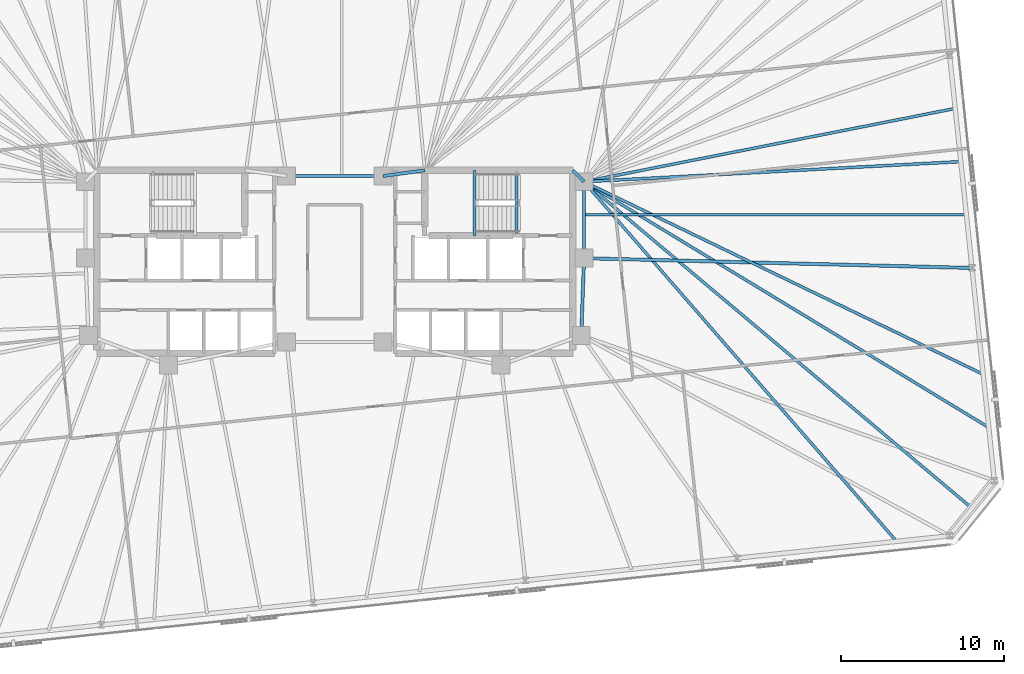
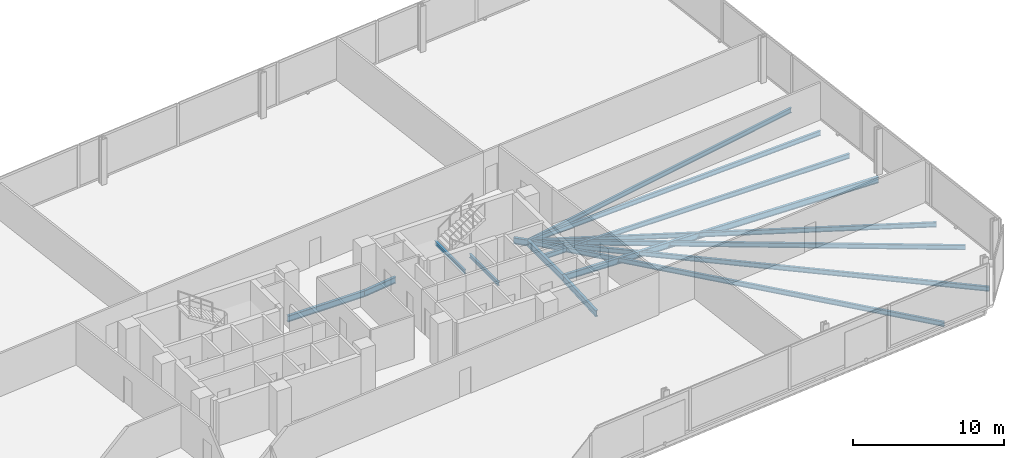
# One storey, part 8 of 18: 15 beams.
"""IFC4 building model written with IfcOpenShell, lengths in metres."""

import ifcopenshell
import ifcopenshell.guid

model = None  # the IFC model being written
_history = None  # IfcOwnerHistory: only IFC2X3 demands one
_inside = {}  # id of a spatial element -> (the spatial element, [elements in it])
_under = {}  # id of a project, library or spatial element -> (it, [spatial elements below it])
_declared = {}  # id of a project -> (the project, [libraries it declares])
_typed = {}  # id of a type object -> (the type object, [elements of that type])
_made_of = {}  # id of a material, layer set ... -> (it, [elements and type objects made of it])


def new_model(schema):
    """Start an empty IFC model of exactly this schema.

    Asked for "IFC4X3", IfcOpenShell would pick the latest addendum, in which some entities
    have other attributes; the version numbers below select the first issue.
    IFC2X3 requires an IfcOwnerHistory on every rooted entity: one is made here for all.
    """
    global model, _history
    if schema == "IFC4X3":
        model = ifcopenshell.file(schema_version=(4, 3, 0, 0))
    else:
        model = ifcopenshell.file(schema=schema)
    _inside.clear()
    _under.clear()
    _declared.clear()
    _typed.clear()
    _made_of.clear()
    _history = None
    if model.schema == "IFC2X3":
        org = make("IfcOrganization", Name="unknown")
        user = make(
            "IfcPersonAndOrganization",
            ThePerson=make("IfcPerson", FamilyName="unknown"),
            TheOrganization=org,
        )
        app = make(
            "IfcApplication",
            ApplicationDeveloper=org,
            Version="unknown",
            ApplicationFullName="unknown",
            ApplicationIdentifier="unknown",
        )
        _history = make(
            "IfcOwnerHistory",
            OwningUser=user,
            OwningApplication=app,
            ChangeAction="ADDED",
            CreationDate=0,
        )
    return model


def make(cls, **values):
    """One entity of the class cls with the attributes given. An attribute that is None is left unset."""
    return model.create_entity(
        cls, **{name: value for name, value in values.items() if value is not None}
    )


def rooted(cls, **values):
    """An entity with a GlobalId (a new one), such as an element, a storey or a relation."""
    return make(cls, GlobalId=ifcopenshell.guid.new(), OwnerHistory=_history, **values)


def si_unit(unit_type, name, prefix=None):
    """IfcSIUnit, for example si_unit("LENGTHUNIT", "METRE", prefix="MILLI")."""
    return make("IfcSIUnit", UnitType=unit_type, Prefix=prefix, Name=name)


def assignment(units):
    """IfcUnitAssignment: the units of a project."""
    return None if units is None else make("IfcUnitAssignment", Units=units)


def point(xyz):
    """IfcCartesianPoint."""
    return None if xyz is None else make("IfcCartesianPoint", Coordinates=xyz)


def direction(xyz):
    """IfcDirection."""
    return None if xyz is None else make("IfcDirection", DirectionRatios=xyz)


def frame(location, z_axis=None, x_axis=None):
    """IfcAxis2Placement3D, a coordinate frame: its origin and axes. An axis left out is left unset."""
    return make(
        "IfcAxis2Placement3D",
        Location=point(location),
        Axis=direction(z_axis),
        RefDirection=direction(x_axis),
    )


def frame_2d(location, x_axis=None):
    """IfcAxis2Placement2D, a coordinate frame in the plane: its origin and x axis."""
    return make(
        "IfcAxis2Placement2D", Location=point(location), RefDirection=direction(x_axis)
    )


def origin():
    """The frame at (0, 0, 0) with its axes left unset."""
    return frame((0.0, 0.0, 0.0))


def origin_2d():
    """The frame at (0, 0) in the plane with its x axis left unset."""
    return frame_2d((0.0, 0.0))


def place(relative_to, where):
    """IfcLocalPlacement: puts the frame where relative to a parent placement (None: the world)."""
    return make(
        "IfcLocalPlacement", PlacementRelTo=relative_to, RelativePlacement=where
    )


def context(
    kind, dimensions, precision=None, world=None, true_north=None, identifier=None
):
    """IfcGeometricRepresentationContext, for example the 3D "Model" context."""
    return make(
        "IfcGeometricRepresentationContext",
        ContextIdentifier=identifier,
        ContextType=kind,
        CoordinateSpaceDimension=dimensions,
        Precision=precision,
        WorldCoordinateSystem=world,
        TrueNorth=true_north,
    )


def subcontext(parent, identifier, kind, view, scale=None):
    """IfcGeometricRepresentationSubContext, for example "Body" below "Model"."""
    return make(
        "IfcGeometricRepresentationSubContext",
        ContextIdentifier=identifier,
        ContextType=kind,
        ParentContext=parent,
        TargetScale=scale,
        TargetView=view,
    )


def project(units=None, contexts=None):
    """IfcProject with its units and contexts."""
    return rooted(
        "IfcProject",
        Name="project",
        RepresentationContexts=contexts,
        UnitsInContext=assignment(units),
    )


def spatial(cls, under=None, at=None, **own):
    """A site, building, storey or space (cls), placed at a placement, below another one or the project."""
    s = rooted(cls, ObjectPlacement=at, **own)
    if under is not None:
        _under.setdefault(under.id(), (under, []))[1].append(s)
    return s


def profile(cls, at=None, kind="AREA", **sizes):
    """A parametric profile (cls). Its sizes go by their IFC names, for example OverallWidth=200.0."""
    return make(cls, ProfileType=kind, Position=at, **sizes)


def i_section(**sizes):
    """IfcIShapeProfileDef."""
    return profile("IfcIShapeProfileDef", **sizes)


def extrude(swept, where, along, depth):
    """IfcExtrudedAreaSolid: the profile swept, set in the frame where, extruded along a direction by depth."""
    return make(
        "IfcExtrudedAreaSolid",
        SweptArea=swept,
        Position=where,
        ExtrudedDirection=direction(along),
        Depth=depth,
    )


def shape(context_of_items, identifier, shape_type, items):
    """IfcShapeRepresentation: the items that make up one representation, for example the "Body"."""
    return make(
        "IfcShapeRepresentation",
        ContextOfItems=context_of_items,
        RepresentationIdentifier=identifier,
        RepresentationType=shape_type,
        Items=items,
    )


def material(Name=None, Category=None):
    """IfcMaterial."""
    return make("IfcMaterial", Name=Name, Category=Category)


def material_profile(
    of_material, cross_section, Name=None, Category=None, Priority=None
):
    """IfcMaterialProfile: a cross section and its material."""
    return make(
        "IfcMaterialProfile",
        Name=Name,
        Material=of_material,
        Profile=cross_section,
        Priority=Priority,
        Category=Category,
    )


def profile_set(profiles, Name=None, composite=None):
    """IfcMaterialProfileSet."""
    return make(
        "IfcMaterialProfileSet",
        Name=Name,
        MaterialProfiles=profiles,
        CompositeProfile=composite,
    )


def made_of(thing, what):
    """Note that an element or type object is made of a material, layer set ...; save() writes the relation."""
    if what is not None:
        _made_of.setdefault(what.id(), (what, []))[1].append(thing)
    return thing


def type_object(cls, material=None, **own):
    """A type object (cls), such as IfcWallType, which elements share."""
    return made_of(rooted(cls, **own), material)


def element(
    cls,
    number,
    at=None,
    inside=None,
    cuts=None,
    type_object=None,
    material=None,
    context=None,
    identifier="Body",
    shape_type=None,
    held_by="IfcProductDefinitionShape",
    body=None,
    shapes=None,
    **own,
):
    """One element of the class cls, such as IfcWall. Its Tag is "e" and its number.

    at: its placement. inside: the storey or other place that contains it. cuts: it is an
    opening in that element (IfcRelVoidsElement). A single representation is given by context,
    identifier, shape_type and body (its items); several are given by shapes. held_by: the class
    of the entity that holds the representations. save() writes the other relations.
    """
    e = rooted(cls, Tag="e%d" % number, ObjectPlacement=at, **own)
    if body is not None:
        shapes = [shape(context, identifier, shape_type, body)]
    if shapes is not None:
        e.Representation = make(held_by, Representations=shapes)
    if inside is not None:
        _inside.setdefault(inside.id(), (inside, []))[1].append(e)
    if cuts is not None:
        rooted(
            "IfcRelVoidsElement", RelatingBuildingElement=cuts, RelatedOpeningElement=e
        )
    if type_object is not None:
        _typed.setdefault(type_object.id(), (type_object, []))[1].append(e)
    return made_of(e, material)


def aggregate(whole, parts):
    """IfcRelAggregates: a whole, such as a stair, and the parts it consists of."""
    return rooted("IfcRelAggregates", RelatingObject=whole, RelatedObjects=parts)


def save(model, path):
    """Write the relations noted so far, then the file.

    IfcRelAggregates (storeys below a building ...), IfcRelContainedInSpatialStructure (elements
    in a storey), IfcRelDefinesByType, IfcRelAssociatesMaterial and IfcRelDeclares: one each for
    every whole, place, type object, material and project.
    """
    for whole, parts in _under.values():
        aggregate(whole, parts)
    for where, things in _inside.values():
        rooted(
            "IfcRelContainedInSpatialStructure",
            RelatedElements=things,
            RelatingStructure=where,
        )
    for kind, things in _typed.values():
        rooted("IfcRelDefinesByType", RelatedObjects=things, RelatingType=kind)
    for what, things in _made_of.values():
        rooted("IfcRelAssociatesMaterial", RelatedObjects=things, RelatingMaterial=what)
    for by, libraries in _declared.values():
        rooted("IfcRelDeclares", RelatingContext=by, RelatedDefinitions=libraries)
    model.write(path)


model = new_model("IFC4")

# Units and contexts
model_context = context("Model", 3, precision=1e-05, world=origin(), true_north=direction((0.0, 1.0)))
body_context = subcontext(model_context, "Body", "Model", "MODEL_VIEW")
ifc_project = project(units=[si_unit("LENGTHUNIT", "METRE"), si_unit("AREAUNIT", "SQUARE_METRE"), si_unit("VOLUMEUNIT", "CUBIC_METRE"), si_unit("PLANEANGLEUNIT", "RADIAN"), si_unit("MASSUNIT", "GRAM", prefix="KILO")], contexts=[model_context])

# Site, building, storey
site_placement = place(None, origin())
site = spatial("IfcSite", under=ifc_project, at=site_placement, CompositionType="ELEMENT")
building_placement = place(site_placement, origin())
building = spatial("IfcBuilding", under=site, at=building_placement, Name="Menara Jurai Vektor", CompositionType="ELEMENT")
storey_placement = place(building_placement, frame((0.0, 0.0, 91.10009765625)))
storey = spatial("IfcBuildingStorey", under=building, at=storey_placement, Name="L22", CompositionType="ELEMENT", Elevation=91.10009765625)

# Beams
ifc_material = material(Name="Steel S355", Category="steel")
ifc_material_profile_1 = material_profile(ifc_material, i_section(OverallWidth=0.199951171875, OverallDepth=0.5, WebThickness=0.011962890625, FlangeThickness=0.02001953125, at=origin_2d()), Name="PG 500x200x96")
ifc_profile_set_1 = profile_set([ifc_material_profile_1], Name="Steel S355")
beam_type_1 = type_object("IfcBeamType", Name="STR-BM-500", PredefinedType="BEAM", material=ifc_profile_set_1)
beam_1_placement = place(storey_placement, frame((2.949951171875, 5.25, -0.47509765625), z_axis=(0.990706818608, 0.136014703483, 0.0), x_axis=(-0.136014703483, 0.990706818608, 0.0)))
element("IfcBeam", 1, at=beam_1_placement, inside=storey, type_object=beam_type_1, Name="Core Ring Header Girder L22-CHE-N1", PredefinedType="BEAM", context=body_context, shape_type="SweptSolid", body=[
    extrude(i_section(OverallWidth=0.199951171875, OverallDepth=0.5, WebThickness=0.011962890625, FlangeThickness=0.02001953125, at=origin_2d()), origin(), (0.0, 0.0, 1.0), 2.573974609375),
])
beam_2_placement = place(storey_placement, frame((14.56005859375, 5.60009765625, -0.47509765625), z_axis=(0.701871936926, -0.712303154672, 0.0), x_axis=(0.712303154672, 0.701871936926, 0.0)))
element("IfcBeam", 2, at=beam_2_placement, inside=storey, type_object=beam_type_1, Name="Core Ring Header Girder L22-CHE-N2", PredefinedType="BEAM", context=body_context, shape_type="SweptSolid", body=[
    extrude(i_section(OverallWidth=0.199951171875, OverallDepth=0.5, WebThickness=0.011962890625, FlangeThickness=0.02001953125, at=origin_2d()), origin(), (0.0, 0.0, 1.0), 0.98291015625),
])
beam_3_placement = place(storey_placement, frame((15.25, 0.219970703125, -0.47509765625), z_axis=(0.0, 1.0, 0.0), x_axis=(-1.0, 0.0, 0.0)))
element("IfcBeam", 3, at=beam_3_placement, inside=storey, type_object=beam_type_1, Name="Core Ring Header Girder L22-CHE-E1", PredefinedType="BEAM", context=body_context, shape_type="SweptSolid", body=[
    extrude(i_section(OverallWidth=0.199951171875, OverallDepth=0.5, WebThickness=0.011962890625, FlangeThickness=0.02001953125, at=origin_2d()), origin(), (0.0, 0.0, 1.0), 4.679931640625),
])
beam_4_placement = place(storey_placement, frame((15.080078125, -4.5, -0.47509765625), z_axis=(0.035977314146, 0.999352606874, 0.0), x_axis=(-0.999352606874, 0.035977314146, 0.0)))
element("IfcBeam", 4, at=beam_4_placement, inside=storey, type_object=beam_type_1, Name="Core Ring Header Girder L22-CHE-E2", PredefinedType="BEAM", context=body_context, shape_type="SweptSolid", body=[
    extrude(i_section(OverallWidth=0.199951171875, OverallDepth=0.5, WebThickness=0.011962890625, FlangeThickness=0.02001953125, at=origin_2d()), origin(), (0.0, 0.0, 1.0), 4.72314453125),
])
beam_5_placement = place(storey_placement, frame((-2.949951171875, 5.25, -0.47509765625), z_axis=(1.0, 0.0, 0.0), x_axis=(0.0, 1.0, 0.0)))
element("IfcBeam", 5, at=beam_5_placement, inside=storey, type_object=beam_type_1, Name="Core Ring Header Girder L22-CC-2", PredefinedType="BEAM", context=body_context, shape_type="SweptSolid", body=[
    extrude(i_section(OverallWidth=0.199951171875, OverallDepth=0.5, WebThickness=0.011962890625, FlangeThickness=0.02001953125, at=origin_2d()), origin(), (0.0, 0.0, 1.0), 5.89990234375),
])
beam_6_placement = place(storey_placement, frame((38.98828125, -0.375, -0.47509765625), z_axis=(-0.999686051749, 0.02505589629, 0.0), x_axis=(-0.02505589629, -0.999686051749, 0.0)))
element("IfcBeam", 6, at=beam_6_placement, inside=storey, type_object=beam_type_1, Name="Radial Floor Girder L22-E2", PredefinedType="BEAM", context=body_context, shape_type="SweptSolid", body=[
    extrude(i_section(OverallWidth=0.199951171875, OverallDepth=0.5, WebThickness=0.011962890625, FlangeThickness=0.02001953125, at=origin_2d()), origin(), (0.0, 0.0, 1.0), 23.745849609375),
])
ifc_material_profile_2 = material_profile(ifc_material, i_section(OverallWidth=0.175048828125, OverallDepth=0.3798828125, WebThickness=0.010009765625, FlangeThickness=0.014892578125, at=origin_2d()), Name="PG 380x175x58")
ifc_profile_set_2 = profile_set([ifc_material_profile_2], Name="Steel S355")
beam_type_2 = type_object("IfcBeamType", Name="STR-JS-380", PredefinedType="JOIST", material=ifc_profile_set_2)
beam_7_placement = place(storey_placement, frame((34.376953125, -17.106201171875, -0.4150390625), z_axis=(-0.656007047389, 0.754754763996, 0.0), x_axis=(-0.754754763996, -0.656007047389, 0.0)))
element("IfcBeam", 7, at=beam_7_placement, inside=storey, type_object=beam_type_2, Name="Radial Secondary Floor Joist L22-JS09", PredefinedType="JOIST", context=body_context, shape_type="SweptSolid", body=[
    extrude(i_section(OverallWidth=0.175048828125, OverallDepth=0.3798828125, WebThickness=0.010009765625, FlangeThickness=0.014892578125, at=origin_2d()), origin(), (0.0, 0.0, 1.0), 29.15673828125),
])
beam_8_placement = place(storey_placement, frame((38.989013671875, -15.076904296875, -0.4150390625), z_axis=(-0.765132553444, 0.643872794627, 0.0), x_axis=(-0.643872794627, -0.765132553444, 0.0)))
element("IfcBeam", 8, at=beam_8_placement, inside=storey, type_object=beam_type_2, Name="Radial Secondary Floor Joist L22-JS10", PredefinedType="JOIST", context=body_context, shape_type="SweptSolid", body=[
    extrude(i_section(OverallWidth=0.175048828125, OverallDepth=0.3798828125, WebThickness=0.010009765625, FlangeThickness=0.014892578125, at=origin_2d()), origin(), (0.0, 0.0, 1.0), 31.026123046875),
])
beam_9_placement = place(storey_placement, frame((40.01416015625, -10.13525390625, -0.4150390625), z_axis=(-0.854790986557, 0.518972416706, 0.0), x_axis=(-0.518972416706, -0.854790986557, 0.0)))
element("IfcBeam", 9, at=beam_9_placement, inside=storey, type_object=beam_type_2, Name="Radial Secondary Floor Joist L22-JS11", PredefinedType="JOIST", context=body_context, shape_type="SweptSolid", body=[
    extrude(i_section(OverallWidth=0.175048828125, OverallDepth=0.3798828125, WebThickness=0.010009765625, FlangeThickness=0.014892578125, at=origin_2d()), origin(), (0.0, 0.0, 1.0), 28.970947265625),
])
beam_10_placement = place(storey_placement, frame((39.672119140625, -6.8818359375, -0.4150390625), z_axis=(-0.90067072624, 0.434502293312, 0.0), x_axis=(-0.434502293312, -0.90067072624, 0.0)))
element("IfcBeam", 10, at=beam_10_placement, inside=storey, type_object=beam_type_2, Name="Radial Secondary Floor Joist L22-JS12", PredefinedType="JOIST", context=body_context, shape_type="SweptSolid", body=[
    extrude(i_section(OverallWidth=0.175048828125, OverallDepth=0.3798828125, WebThickness=0.010009765625, FlangeThickness=0.014892578125, at=origin_2d()), origin(), (0.0, 0.0, 1.0), 27.115478515625),
])
beam_11_placement = place(storey_placement, frame((38.646484375, 2.87841796875, -0.4150390625), z_axis=(-1.0, 0.0, 0.0), x_axis=(0.0, -1.0, 0.0)))
element("IfcBeam", 11, at=beam_11_placement, inside=storey, type_object=beam_type_2, Name="Radial Secondary Floor Joist L22-JS13", PredefinedType="JOIST", context=body_context, shape_type="SweptSolid", body=[
    extrude(i_section(OverallWidth=0.175048828125, OverallDepth=0.3798828125, WebThickness=0.010009765625, FlangeThickness=0.014892578125, at=origin_2d()), origin(), (0.0, 0.0, 1.0), 23.396484375),
])
beam_12_placement = place(storey_placement, frame((38.304443359375, 6.131591796875, -0.4150390625), z_axis=(-0.998575919005, -0.053349170414, 0.0), x_axis=(0.053349170414, -0.998575919005, 0.0)))
element("IfcBeam", 12, at=beam_12_placement, inside=storey, type_object=beam_type_2, Name="Radial Secondary Floor Joist L22-JS14", PredefinedType="JOIST", context=body_context, shape_type="SweptSolid", body=[
    extrude(i_section(OverallWidth=0.175048828125, OverallDepth=0.3798828125, WebThickness=0.010009765625, FlangeThickness=0.014892578125, at=origin_2d()), origin(), (0.0, 0.0, 1.0), 23.08740234375),
])
beam_13_placement = place(storey_placement, frame((37.96240234375, 9.385009765625, -0.4150390625), z_axis=(-0.981054359007, -0.193732662897, 0.0), x_axis=(0.193732662897, -0.981054359007, 0.0)))
element("IfcBeam", 13, at=beam_13_placement, inside=storey, type_object=beam_type_2, Name="Radial Secondary Floor Joist L22-JS15", PredefinedType="JOIST", context=body_context, shape_type="SweptSolid", body=[
    extrude(i_section(OverallWidth=0.175048828125, OverallDepth=0.3798828125, WebThickness=0.010009765625, FlangeThickness=0.014892578125, at=origin_2d()), origin(), (0.0, 0.0, 1.0), 23.151123046875),
])
ifc_material_profile_3 = material_profile(ifc_material, i_section(OverallWidth=0.1650390625, OverallDepth=0.302978515625, WebThickness=0.006103515625, FlangeThickness=0.010009765625, FilletRadius=0.009033203125, at=origin_2d()), Name="UKB 305x165x40")
ifc_profile_set_3 = profile_set([ifc_material_profile_3], Name="Steel S355")
beam_type_3 = type_object("IfcBeamType", Name="STR-LN-305", PredefinedType="LINTEL", material=ifc_profile_set_3)
beam_14_placement = place(storey_placement, frame((11.1201171875, 1.60009765625, -0.376708984375), z_axis=(0.0, 1.0, 0.0), x_axis=(-1.0, 0.0, 0.0)))
element("IfcBeam", 14, at=beam_14_placement, inside=storey, type_object=beam_type_3, Name="Stair Well Floor Trimmer ST2 L22", PredefinedType="LINTEL", context=body_context, shape_type="SweptSolid", body=[
    extrude(i_section(OverallWidth=0.1650390625, OverallDepth=0.302978515625, WebThickness=0.006103515625, FlangeThickness=0.010009765625, FilletRadius=0.009033203125, at=origin_2d()), origin(), (0.0, 0.0, 1.0), 3.81982421875),
])
beam_15_placement = place(storey_placement, frame((8.550048828125, 1.60009765625, 1.498291015625), z_axis=(0.0, 1.0, 0.0), x_axis=(-1.0, 0.0, 0.0)))
element("IfcBeam", 15, at=beam_15_placement, inside=storey, type_object=beam_type_3, Name="Stair Half-Landing Nosing Trimmer ST2-1 L22", PredefinedType="LINTEL", context=body_context, shape_type="SweptSolid", body=[
    extrude(i_section(OverallWidth=0.1650390625, OverallDepth=0.302978515625, WebThickness=0.006103515625, FlangeThickness=0.010009765625, FilletRadius=0.009033203125, at=origin_2d()), origin(), (0.0, 0.0, 1.0), 4.0),
])

save(model, "model.ifc")
